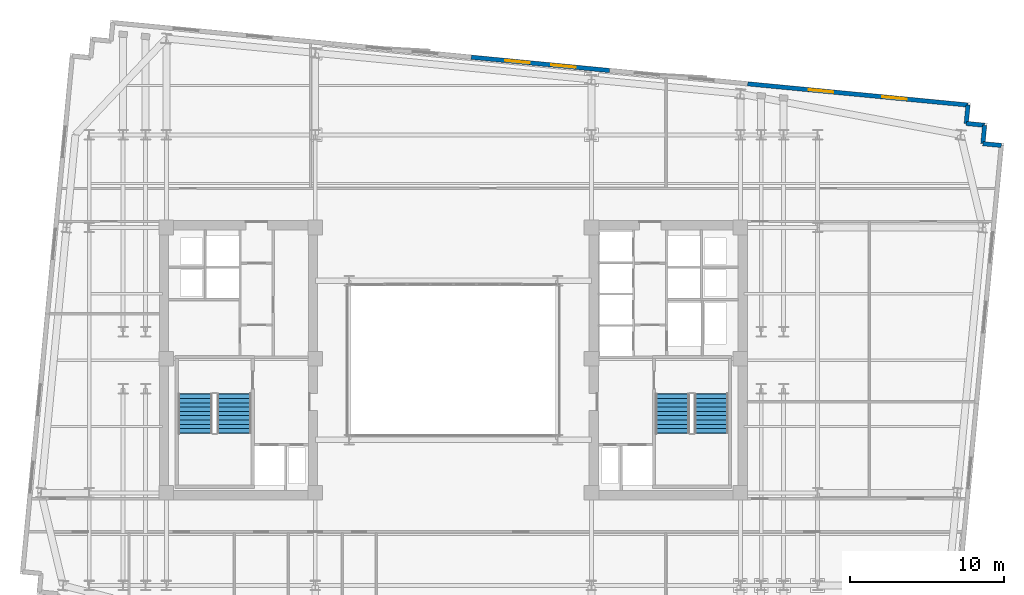
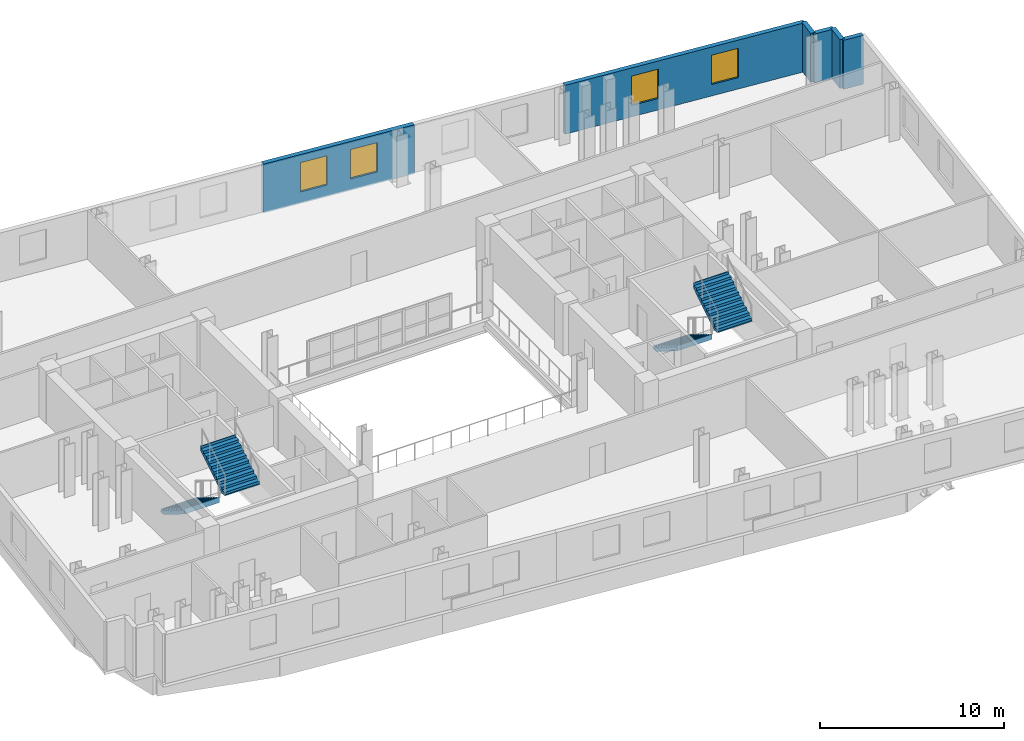
# One storey, part 8 of 11: 6 walls, 4 stair flights, 4 windows, 4 openings, 2 elements without a shape of their own.
"""IFC4 building model written with IfcOpenShell, lengths in metres."""

from ifc_helpers import new_model, si_unit, direction, frame, frame_2d, origin, place, context, subcontext, project, spatial, polyline, rectangle, outline, extrude, material, layer, layer_set, type_object, element, fill, aggregate, save


model = new_model("IFC4")

# Units and contexts
model_context = context("Model", 3, precision=1e-05, world=origin(), true_north=direction((0.0, 1.0)))
body_context = subcontext(model_context, "Body", "Model", "MODEL_VIEW")
ifc_project = project(units=[si_unit("LENGTHUNIT", "METRE"), si_unit("AREAUNIT", "SQUARE_METRE"), si_unit("VOLUMEUNIT", "CUBIC_METRE"), si_unit("PLANEANGLEUNIT", "RADIAN"), si_unit("MASSUNIT", "GRAM", prefix="KILO")], contexts=[model_context])

# Site, building, storey
site_placement = place(None, origin())
site = spatial("IfcSite", under=ifc_project, at=site_placement, CompositionType="ELEMENT")
building_placement = place(site_placement, origin())
building = spatial("IfcBuilding", under=site, at=building_placement, Name="Velakula Bourse", CompositionType="ELEMENT")
storey_placement = place(building_placement, frame((0.0, 0.0, 160.39990234375)))
storey = spatial("IfcBuildingStorey", under=building, at=storey_placement, Name="L43", CompositionType="ELEMENT", Elevation=160.39990234375)

# Wall, openings, windows
ifc_material_1 = material(Name="Red kilned clay facing brick masonry", Category="masonry")
ifc_layer_1 = layer(ifc_material_1, 0.280029296875, Name="Red kilned clay facing brick masonry", Category="masonry")
ifc_layer_set_1 = layer_set([ifc_layer_1], Name="Red kilned clay facing brick masonry")
wall_type = type_object("IfcWallType", Name="WL-EXT-BRK-280", PredefinedType="STANDARD", material=ifc_layer_set_1)
wall_1_placement = place(storey_placement, frame((1.159912109375, 19.633056640625, 0.0), z_axis=(0.0, 0.0, 1.0), x_axis=(0.995394455533, -0.09586385082, 0.0)))
wall_1 = element("IfcWall", 1, at=wall_1_placement, inside=storey, type_object=wall_type, Name="L43 N Brick Spandrel Wall B3", PredefinedType="STANDARD", context=body_context, shape_type="SweptSolid", body=[
    extrude(rectangle(XDim=9.000244140625, YDim=0.280029296875, at=frame_2d((4.5, 0.0))), origin(), (0.0, 0.0, 1.0), 3.25),
])
opening_1_placement = place(wall_1_placement, frame((2.199951171875, 0.0, 0.760009765625)))
opening_1 = element("IfcOpeningElement", 2, at=opening_1_placement, cuts=wall_1, Name="Opening W-02", PredefinedType="OPENING", context=body_context, shape_type="SweptSolid", body=[
    extrude(rectangle(XDim=1.60009765625, YDim=1.949951171875, at=frame_2d((0.800048828125, 0.97509765625))), frame((0.0, 0.14990234375, 0.0), z_axis=(0.0, -1.0, 0.0), x_axis=(1.0, 0.0, 0.0)), (0.0, 0.0, 1.0), 0.300048828125),
])
opening_2_placement = place(wall_1_placement, frame((5.199951171875, 0.0, 0.760009765625)))
opening_2 = element("IfcOpeningElement", 3, at=opening_2_placement, cuts=wall_1, Name="Opening W-02", PredefinedType="OPENING", context=body_context, shape_type="SweptSolid", body=[
    extrude(rectangle(XDim=1.60009765625, YDim=1.949951171875, at=frame_2d((0.800048828125, 0.97509765625))), frame((0.0, 0.14990234375, 0.0), z_axis=(0.0, -1.0, 0.0), x_axis=(1.0, 0.0, 0.0)), (0.0, 0.0, 1.0), 0.300048828125),
])
ifc_material_2 = material(Name="Double-glazed solar-control Low-E glass", Category="glass")
window_type = type_object("IfcWindowType", Name="WIN-TWR-1600x2100", PartitioningType="SINGLE_PANEL", PredefinedType="WINDOW", material=ifc_material_2)
window_1_placement = place(opening_1_placement, origin())
window_1 = element("IfcWindow", 4, at=window_1_placement, inside=storey, type_object=window_type, Name="L43 Deep-Set Recessed Window 1", OverallHeight=1.949951171875, OverallWidth=1.60009765625, PartitioningType="SINGLE_PANEL", PredefinedType="WINDOW", context=body_context, shape_type="SweptSolid", body=[
    extrude(rectangle(XDim=1.60009765625, YDim=1.949951171875, at=frame_2d((0.800048828125, 0.97509765625))), frame((0.0, 0.030029296875, 0.0), z_axis=(0.0, -1.0, 0.0), x_axis=(1.0, 0.0, 0.0)), (0.0, 0.0, 1.0), 0.06005859375),
])
fill(opening_1, window_1)
window_2_placement = place(opening_2_placement, origin())
window_2 = element("IfcWindow", 5, at=window_2_placement, inside=storey, type_object=window_type, Name="L43 Deep-Set Recessed Window 2", OverallHeight=1.949951171875, OverallWidth=1.60009765625, PartitioningType="SINGLE_PANEL", PredefinedType="WINDOW", context=body_context, shape_type="SweptSolid", body=[
    extrude(rectangle(XDim=1.60009765625, YDim=1.949951171875, at=frame_2d((0.800048828125, 0.97509765625))), frame((0.0, 0.030029296875, 0.0), z_axis=(0.0, -1.0, 0.0), x_axis=(1.0, 0.0, 0.0)), (0.0, 0.0, 1.0), 0.06005859375),
])
fill(opening_2, window_2)

wall_2_placement = place(storey_placement, frame((19.0771484375, 17.90771484375, 0.0), z_axis=(0.0, 0.0, 1.0), x_axis=(0.995395606285, -0.095851901334, 0.0)))
wall_2 = element("IfcWall", 6, at=wall_2_placement, inside=storey, type_object=wall_type, Name="L43 N Brick Spandrel Wall B5", PredefinedType="STANDARD", context=body_context, shape_type="SweptSolid", body=[
    extrude(rectangle(XDim=14.33984375, YDim=0.280029296875, at=frame_2d((7.169921875, 0.0))), origin(), (0.0, 0.0, 1.0), 3.25),
])
opening_3_placement = place(wall_2_placement, frame((3.97998046875, 0.0, 0.760009765625)))
opening_3 = element("IfcOpeningElement", 7, at=opening_3_placement, cuts=wall_2, Name="Opening W-02", PredefinedType="OPENING", context=body_context, shape_type="SweptSolid", body=[
    extrude(rectangle(XDim=1.60009765625, YDim=1.949951171875, at=frame_2d((0.800048828125, 0.97509765625))), frame((0.0, 0.14990234375, 0.0), z_axis=(0.0, -1.0, 0.0), x_axis=(1.0, 0.0, 0.0)), (0.0, 0.0, 1.0), 0.300048828125),
])
opening_4_placement = place(wall_2_placement, frame((8.760009765625, 0.0, 0.760009765625)))
opening_4 = element("IfcOpeningElement", 8, at=opening_4_placement, cuts=wall_2, Name="Opening W-02", PredefinedType="OPENING", context=body_context, shape_type="SweptSolid", body=[
    extrude(rectangle(XDim=1.60009765625, YDim=1.949951171875, at=frame_2d((0.800048828125, 0.97509765625))), frame((0.0, 0.14990234375, 0.0), z_axis=(0.0, -1.0, 0.0), x_axis=(1.0, 0.0, 0.0)), (0.0, 0.0, 1.0), 0.300048828125),
])
window_3_placement = place(opening_3_placement, origin())
window_3 = element("IfcWindow", 9, at=window_3_placement, inside=storey, type_object=window_type, Name="L43 Deep-Set Recessed Window 1", OverallHeight=1.949951171875, OverallWidth=1.60009765625, PartitioningType="SINGLE_PANEL", PredefinedType="WINDOW", context=body_context, shape_type="SweptSolid", body=[
    extrude(rectangle(XDim=1.60009765625, YDim=1.949951171875, at=frame_2d((0.800048828125, 0.97509765625))), frame((0.0, 0.030029296875, 0.0), z_axis=(0.0, -1.0, 0.0), x_axis=(1.0, 0.0, 0.0)), (0.0, 0.0, 1.0), 0.06005859375),
])
fill(opening_3, window_3)
window_4_placement = place(opening_4_placement, origin())
window_4 = element("IfcWindow", 10, at=window_4_placement, inside=storey, type_object=window_type, Name="L43 Deep-Set Recessed Window 2", OverallHeight=1.949951171875, OverallWidth=1.60009765625, PartitioningType="SINGLE_PANEL", PredefinedType="WINDOW", context=body_context, shape_type="SweptSolid", body=[
    extrude(rectangle(XDim=1.60009765625, YDim=1.949951171875, at=frame_2d((0.800048828125, 0.97509765625))), frame((0.0, 0.030029296875, 0.0), z_axis=(0.0, -1.0, 0.0), x_axis=(1.0, 0.0, 0.0)), (0.0, 0.0, 1.0), 0.06005859375),
])
fill(opening_4, window_4)

# Walls
wall_3_placement = place(storey_placement, frame((35.510009765625, 13.914306640625, 0.0), z_axis=(0.0, 0.0, 1.0), x_axis=(-0.995397091755, 0.095836473879, 0.0)))
element("IfcWall", 11, at=wall_3_placement, inside=storey, type_object=wall_type, Name="L43 Serrated Corner Brick Wall NE-1", PredefinedType="STANDARD", context=body_context, shape_type="SweptSolid", body=[
    extrude(rectangle(XDim=1.199951171875, YDim=0.280029296875, at=frame_2d((0.60009765625, 0.0))), origin(), (0.0, 0.0, 1.0), 3.25),
])
for number, where, z_axis, x_axis, name in (
    (12, (34.315673828125, 14.029296875, 0.0), (0.0, 0.0, 1.0), (0.095817067274, 0.995398960025, 0.0), "L43 Serrated Corner Brick Wall NE-2"),
    (13, (34.4306640625, 15.223876953125, 0.0), (0.0, 0.0, 1.0), (-0.995398960025, 0.095817067274, 0.0), "L43 Serrated Corner Brick Wall NE-3"),
):
    element("IfcWall", number, at=place(storey_placement, frame(where, z_axis=z_axis, x_axis=x_axis)), inside=storey, type_object=wall_type, Name=name, PredefinedType="STANDARD", context=body_context, shape_type="SweptSolid", body=[
        extrude(rectangle(XDim=1.2001953125, YDim=0.280029296875, at=frame_2d((0.60009765625, 0.0))), origin(), (0.0, 0.0, 1.0), 3.25),
    ])
wall_4_placement = place(storey_placement, frame((33.236083984375, 15.3388671875, 0.0), z_axis=(0.0, 0.0, 1.0), x_axis=(0.095836473879, 0.995397091755, 0.0)))
element("IfcWall", 14, at=wall_4_placement, inside=storey, type_object=wall_type, Name="L43 Serrated Corner Brick Wall NE-4", PredefinedType="STANDARD", context=body_context, shape_type="SweptSolid", body=[
    extrude(rectangle(XDim=1.199951171875, YDim=0.280029296875, at=frame_2d((0.60009765625, 0.0))), origin(), (0.0, 0.0, 1.0), 3.25),
])

# Stair, stair flights
ifc_material_3 = material(Name="Concrete M45 (fck 45 MPa)", Category="concrete")
stair_type = type_object("IfcStairType", Name="STR-DOG-390", PredefinedType="HALF_TURN_STAIR", material=ifc_material_3)
stair_1_placement = place(storey_placement, origin())
stair_1 = element("IfcStair", 15, at=stair_1_placement, inside=storey, type_object=stair_type, Name="L43 West Core Exit Stair ST-W1", PredefinedType="HALF_TURN_STAIR")
ifc_layer_2 = layer(ifc_material_3, 0.195068359375, Name="Concrete M45 (fck 45 MPa)", Category="concrete")
ifc_layer_set_2 = layer_set([ifc_layer_2], Name="Concrete M45 (fck 45 MPa)")
stair_flight_type = type_object("IfcStairFlightType", Name="FLT-DOG-390", PredefinedType="STRAIGHT", material=ifc_layer_set_2)
stair_flight_1_placement = place(storey_placement, frame((-16.720947265625, -2.199951171875, 0.0), z_axis=(0.0, 0.0, 1.0), x_axis=(0.0, -1.0, 0.0)))
stair_flight_1 = element("IfcStairFlight", 16, at=stair_flight_1_placement, type_object=stair_flight_type, Name="ST-W1 flight 1", NumberOfRisers=10, NumberOfTreads=9, PredefinedType="STRAIGHT", RiserHeight=0.1725, TreadLength=0.28, context=body_context, shape_type="SweptSolid", body=[
    extrude(outline(polyline([(-0.044921875, -0.0400390625), (-0.044921875, -0.036865234375), (-0.044921875, -0.033935546875), (-0.044921875, -0.03076171875), (-0.044921875, -0.027587890625), (-0.044921875, -0.024658203125), (-0.044921875, -0.021484375), (-0.044921875, -0.0185546875), (-0.044921875, -0.015380859375), (-0.044921875, -0.01220703125), (-0.044921875, -0.00927734375), (-0.044921875, -0.006103515625), (-0.044921875, -0.003173828125), (-0.044921875, 0.0), (0.0, 0.0), (0.0, 0.172607421875), (0.280029296875, 0.172607421875), (0.280029296875, 0.344970703125), (0.56005859375, 0.344970703125), (0.56005859375, 0.517578125), (0.840087890625, 0.517578125), (0.840087890625, 0.68994140625), (1.1201171875, 0.68994140625), (1.1201171875, 0.862548828125), (1.39990234375, 0.862548828125), (1.39990234375, 1.034912109375), (1.679931640625, 1.034912109375), (1.679931640625, 1.20751953125), (1.9599609375, 1.20751953125), (1.9599609375, 1.3798828125), (2.239990234375, 1.3798828125), (2.239990234375, 1.552490234375), (2.52001953125, 1.552490234375), (2.52001953125, 1.72509765625), (2.56494140625, 1.72509765625), (2.56494140625, 1.7001953125), (2.56494140625, 1.67529296875), (2.56494140625, 1.650390625), (2.56494140625, 1.62548828125), (2.56494140625, 1.6005859375), (2.56494140625, 1.57568359375), (2.56494140625, 1.55078125), (2.56494140625, 1.52587890625), (2.56494140625, 1.5009765625), (2.56494140625, 1.47607421875), (2.56494140625, 1.451171875), (2.56494140625, 1.42626953125), (2.56494140625, 1.4013671875), (2.56494140625, 1.37646484375), (0.285888671875, -0.0400390625), (-0.044921875, -0.0400390625)])), frame((0.0, 1.09912109375, 0.0), z_axis=(0.0, -1.0, 0.0), x_axis=(1.0, 0.0, 0.0)), (0.0, 0.0, 1.0), 2.197998046875),
])
stair_flight_2_placement = place(storey_placement, frame((-14.198974609375, -4.719970703125, 1.72509765625), z_axis=(0.0, 0.0, 1.0), x_axis=(0.0, 1.0, 0.0)))
stair_flight_2 = element("IfcStairFlight", 17, at=stair_flight_2_placement, type_object=stair_flight_type, Name="ST-W1 flight 2", NumberOfRisers=10, NumberOfTreads=9, PredefinedType="STRAIGHT", RiserHeight=0.1725, TreadLength=0.28, context=body_context, shape_type="SweptSolid", body=[
    extrude(outline(polyline([(-0.044921875, -0.0400390625), (-0.044921875, -0.036865234375), (-0.044921875, -0.033935546875), (-0.044921875, -0.03076171875), (-0.044921875, -0.027587890625), (-0.044921875, -0.024658203125), (-0.044921875, -0.021484375), (-0.044921875, -0.0185546875), (-0.044921875, -0.015380859375), (-0.044921875, -0.01220703125), (-0.044921875, -0.00927734375), (-0.044921875, -0.006103515625), (-0.044921875, -0.003173828125), (-0.044921875, 0.0), (0.0, 0.0), (0.0, 0.172607421875), (0.280029296875, 0.172607421875), (0.280029296875, 0.344970703125), (0.56005859375, 0.344970703125), (0.56005859375, 0.517578125), (0.840087890625, 0.517578125), (0.840087890625, 0.68994140625), (1.1201171875, 0.68994140625), (1.1201171875, 0.862548828125), (1.39990234375, 0.862548828125), (1.39990234375, 1.034912109375), (1.679931640625, 1.034912109375), (1.679931640625, 1.20751953125), (1.9599609375, 1.20751953125), (1.9599609375, 1.3798828125), (2.239990234375, 1.3798828125), (2.239990234375, 1.552490234375), (2.52001953125, 1.552490234375), (2.52001953125, 1.72509765625), (2.56494140625, 1.72509765625), (2.56494140625, 1.7001953125), (2.56494140625, 1.67529296875), (2.56494140625, 1.650390625), (2.56494140625, 1.62548828125), (2.56494140625, 1.6005859375), (2.56494140625, 1.57568359375), (2.56494140625, 1.55078125), (2.56494140625, 1.52587890625), (2.56494140625, 1.5009765625), (2.56494140625, 1.47607421875), (2.56494140625, 1.451171875), (2.56494140625, 1.42626953125), (2.56494140625, 1.4013671875), (2.56494140625, 1.37646484375), (0.285888671875, -0.0400390625), (-0.044921875, -0.0400390625)])), frame((0.0, 1.09912109375, 0.0), z_axis=(0.0, -1.0, 0.0), x_axis=(1.0, 0.0, 0.0)), (0.0, 0.0, 1.0), 2.197998046875),
])
aggregate(stair_1, [stair_flight_1, stair_flight_2])

stair_2_placement = place(storey_placement, origin())
stair_2 = element("IfcStair", 18, at=stair_2_placement, inside=storey, type_object=stair_type, Name="L43 East Core Exit Stair ST-E1", PredefinedType="HALF_TURN_STAIR")
stair_flight_3_placement = place(storey_placement, frame((14.198974609375, -2.199951171875, 0.0), z_axis=(0.0, 0.0, 1.0), x_axis=(0.0, -1.0, 0.0)))
stair_flight_3 = element("IfcStairFlight", 19, at=stair_flight_3_placement, type_object=stair_flight_type, Name="ST-E1 flight 1", NumberOfRisers=10, NumberOfTreads=9, PredefinedType="STRAIGHT", RiserHeight=0.1725, TreadLength=0.28, context=body_context, shape_type="SweptSolid", body=[
    extrude(outline(polyline([(-0.044921875, -0.0400390625), (-0.044921875, -0.036865234375), (-0.044921875, -0.033935546875), (-0.044921875, -0.03076171875), (-0.044921875, -0.027587890625), (-0.044921875, -0.024658203125), (-0.044921875, -0.021484375), (-0.044921875, -0.0185546875), (-0.044921875, -0.015380859375), (-0.044921875, -0.01220703125), (-0.044921875, -0.00927734375), (-0.044921875, -0.006103515625), (-0.044921875, -0.003173828125), (-0.044921875, 0.0), (0.0, 0.0), (0.0, 0.172607421875), (0.280029296875, 0.172607421875), (0.280029296875, 0.344970703125), (0.56005859375, 0.344970703125), (0.56005859375, 0.517578125), (0.840087890625, 0.517578125), (0.840087890625, 0.68994140625), (1.1201171875, 0.68994140625), (1.1201171875, 0.862548828125), (1.39990234375, 0.862548828125), (1.39990234375, 1.034912109375), (1.679931640625, 1.034912109375), (1.679931640625, 1.20751953125), (1.9599609375, 1.20751953125), (1.9599609375, 1.3798828125), (2.239990234375, 1.3798828125), (2.239990234375, 1.552490234375), (2.52001953125, 1.552490234375), (2.52001953125, 1.72509765625), (2.56494140625, 1.72509765625), (2.56494140625, 1.7001953125), (2.56494140625, 1.67529296875), (2.56494140625, 1.650390625), (2.56494140625, 1.62548828125), (2.56494140625, 1.6005859375), (2.56494140625, 1.57568359375), (2.56494140625, 1.55078125), (2.56494140625, 1.52587890625), (2.56494140625, 1.5009765625), (2.56494140625, 1.47607421875), (2.56494140625, 1.451171875), (2.56494140625, 1.42626953125), (2.56494140625, 1.4013671875), (2.56494140625, 1.37646484375), (0.285888671875, -0.0400390625), (-0.044921875, -0.0400390625)])), frame((0.0, 1.09912109375, 0.0), z_axis=(0.0, -1.0, 0.0), x_axis=(1.0, 0.0, 0.0)), (0.0, 0.0, 1.0), 2.197998046875),
])
stair_flight_4_placement = place(storey_placement, frame((16.720947265625, -4.719970703125, 1.72509765625), z_axis=(0.0, 0.0, 1.0), x_axis=(0.0, 1.0, 0.0)))
stair_flight_4 = element("IfcStairFlight", 20, at=stair_flight_4_placement, type_object=stair_flight_type, Name="ST-E1 flight 2", NumberOfRisers=10, NumberOfTreads=9, PredefinedType="STRAIGHT", RiserHeight=0.1725, TreadLength=0.28, context=body_context, shape_type="SweptSolid", body=[
    extrude(outline(polyline([(-0.044921875, -0.0400390625), (-0.044921875, -0.036865234375), (-0.044921875, -0.033935546875), (-0.044921875, -0.03076171875), (-0.044921875, -0.027587890625), (-0.044921875, -0.024658203125), (-0.044921875, -0.021484375), (-0.044921875, -0.0185546875), (-0.044921875, -0.015380859375), (-0.044921875, -0.01220703125), (-0.044921875, -0.00927734375), (-0.044921875, -0.006103515625), (-0.044921875, -0.003173828125), (-0.044921875, 0.0), (0.0, 0.0), (0.0, 0.172607421875), (0.280029296875, 0.172607421875), (0.280029296875, 0.344970703125), (0.56005859375, 0.344970703125), (0.56005859375, 0.517578125), (0.840087890625, 0.517578125), (0.840087890625, 0.68994140625), (1.1201171875, 0.68994140625), (1.1201171875, 0.862548828125), (1.39990234375, 0.862548828125), (1.39990234375, 1.034912109375), (1.679931640625, 1.034912109375), (1.679931640625, 1.20751953125), (1.9599609375, 1.20751953125), (1.9599609375, 1.3798828125), (2.239990234375, 1.3798828125), (2.239990234375, 1.552490234375), (2.52001953125, 1.552490234375), (2.52001953125, 1.72509765625), (2.56494140625, 1.72509765625), (2.56494140625, 1.7001953125), (2.56494140625, 1.67529296875), (2.56494140625, 1.650390625), (2.56494140625, 1.62548828125), (2.56494140625, 1.6005859375), (2.56494140625, 1.57568359375), (2.56494140625, 1.55078125), (2.56494140625, 1.52587890625), (2.56494140625, 1.5009765625), (2.56494140625, 1.47607421875), (2.56494140625, 1.451171875), (2.56494140625, 1.42626953125), (2.56494140625, 1.4013671875), (2.56494140625, 1.37646484375), (0.285888671875, -0.0400390625), (-0.044921875, -0.0400390625)])), frame((0.0, 1.09912109375, 0.0), z_axis=(0.0, -1.0, 0.0), x_axis=(1.0, 0.0, 0.0)), (0.0, 0.0, 1.0), 2.197998046875),
])
aggregate(stair_2, [stair_flight_3, stair_flight_4])

save(model, "model.ifc")
